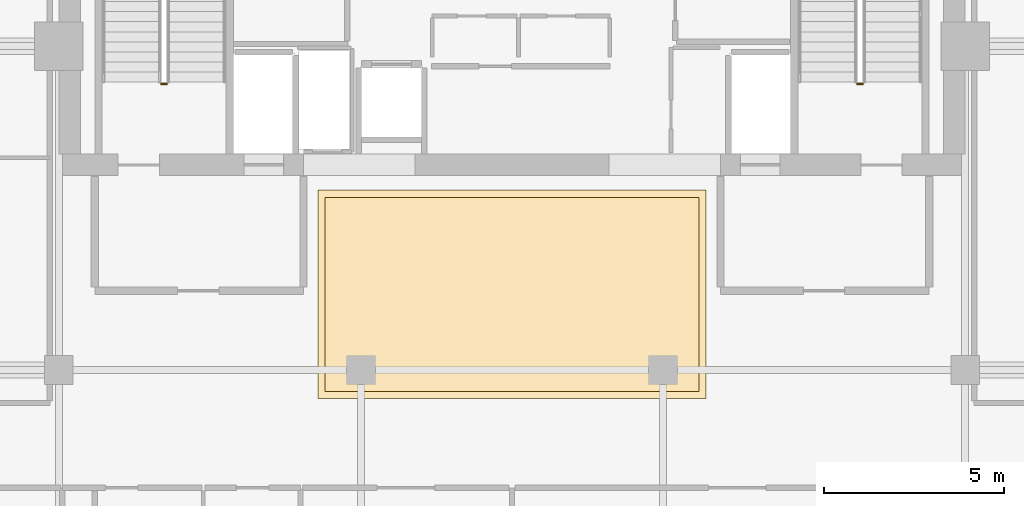
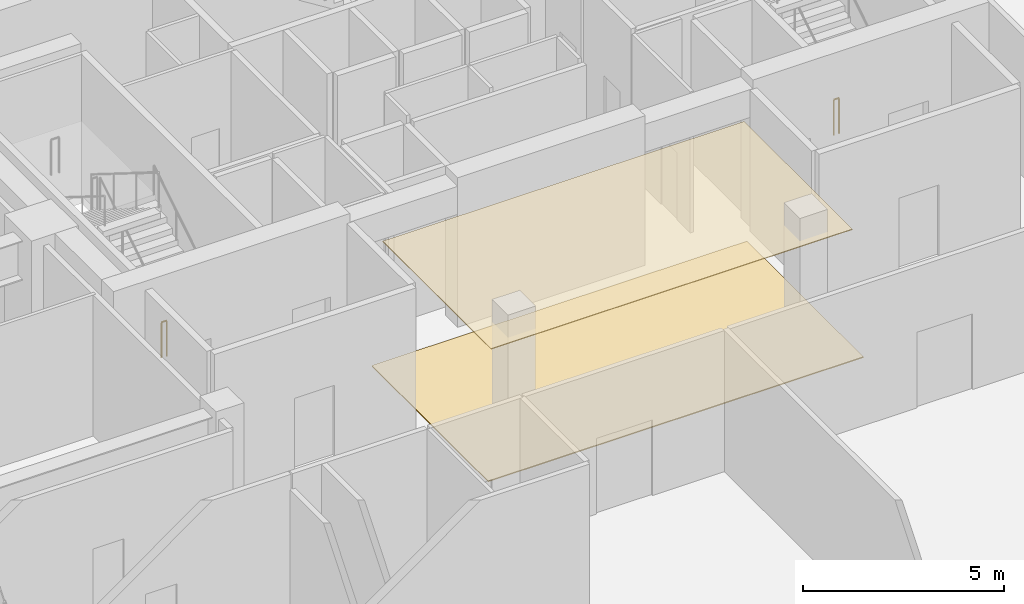
# One storey, part 21 of 23: 2 coverings, 2 railings.
"""IFC4 building model written with IfcOpenShell, lengths in metres."""

from ifc_helpers import new_model, si_unit, direction, frame, origin, origin_2d, place, context, subcontext, project, spatial, polyline, circle, outline, extrude, material, layer, layer_set, type_object, element, save


model = new_model("IFC4")

# Units and contexts
model_context = context("Model", 3, precision=1e-05, world=origin(), true_north=direction((0.0, 1.0)))
body_context = subcontext(model_context, "Body", "Model", "MODEL_VIEW")
ifc_project = project(units=[si_unit("LENGTHUNIT", "METRE"), si_unit("AREAUNIT", "SQUARE_METRE"), si_unit("VOLUMEUNIT", "CUBIC_METRE"), si_unit("PLANEANGLEUNIT", "RADIAN"), si_unit("MASSUNIT", "GRAM", prefix="KILO")], contexts=[model_context])

# Site, building, storey
site_placement = place(None, origin())
site = spatial("IfcSite", under=ifc_project, at=site_placement, CompositionType="ELEMENT")
building_placement = place(site_placement, origin())
building = spatial("IfcBuilding", under=site, at=building_placement, Name="Maruvema Waterfront Hotel and Observation Tower", CompositionType="ELEMENT")
storey_placement = place(building_placement, frame((0.0, 0.0, 349.64990234375)))
storey = spatial("IfcBuildingStorey", under=building, at=storey_placement, Name="L86", CompositionType="ELEMENT", Elevation=349.64990234375)

# Coverings
ifc_material_1 = material(Name="Honed Pernambuco warm granite", Category="masonry")
ifc_layer_1 = layer(ifc_material_1, 0.030029296875, Name="Honed Pernambuco Granite Lobby Flooring 30 mm")
ifc_layer_set_1 = layer_set([ifc_layer_1], Name="Honed Pernambuco warm granite")
covering_type_1 = type_object("IfcCoveringType", Name="Honed Pernambuco Granite Lobby Flooring 30 mm", PredefinedType="FLOORING", material=ifc_layer_set_1)
covering_1_placement = place(storey_placement, origin())
element("IfcCovering", 1, at=covering_1_placement, inside=storey, type_object=covering_type_1, Name="L86 Sky Concourse Granite Flooring", PredefinedType="FLOORING", context=body_context, shape_type="SweptSolid", body=[
    extrude(outline(polyline([(32.39990234375, 35.199951171875), (43.199951171875, 35.199951171875), (43.199951171875, 41.0), (32.39990234375, 41.0), (32.39990234375, 35.199951171875)])), origin(), (0.0, 0.0, 1.0), 0.030029296875),
])
ifc_material_2 = material(Name="Perforated acoustic gypsum board", Category="gypsum")
ifc_layer_2 = layer(ifc_material_2, 0.02490234375, Name="Perforated Acoustic Gypsum Suspended Ceiling 25 mm")
ifc_layer_set_2 = layer_set([ifc_layer_2], Name="Perforated acoustic gypsum board")
covering_type_2 = type_object("IfcCoveringType", Name="Perforated Acoustic Gypsum Suspended Ceiling 25 mm", PredefinedType="CEILING", material=ifc_layer_set_2)
covering_2_placement = place(storey_placement, frame((0.0, 0.0, 3.840087890625)))
element("IfcCovering", 2, at=covering_2_placement, inside=storey, type_object=covering_type_2, Name="L86 Sky Concourse Acoustic Ceiling", PredefinedType="CEILING", context=body_context, shape_type="SweptSolid", body=[
    extrude(outline(polyline([(32.60009765625, 35.39990234375), (43.0, 35.39990234375), (43.0, 40.800048828125), (32.60009765625, 40.800048828125), (32.60009765625, 35.39990234375)])), origin(), (0.0, 0.0, 1.0), 0.02490234375),
])

# Railings
ifc_material_3 = material(Name="Brushed stainless steel Grade 316", Category="steel")
railing_type = type_object("IfcRailingType", Name="Ramp and Terrace Guard Balustrade 1100 mm", PredefinedType="BALUSTRADE", material=ifc_material_3)
railing_1_placement = place(storey_placement, frame((28.199951171875, 43.949951171875, 0.0)))
element("IfcRailing", 3, at=railing_1_placement, inside=storey, type_object=railing_type, Name="L86 ST-01 stair guard 4", PredefinedType="BALUSTRADE", context=body_context, shape_type="SweptSolid", body=[
    extrude(circle(Radius=0.02392578125, at=origin_2d()), frame((0.0, 0.0, 1.076171875), z_axis=(-1.0, 0.0, 0.0), x_axis=(0.0, -1.0, 0.0)), (0.0, 0.0, 1.0), 0.14990234375),
    extrude(circle(Radius=0.02099609375, at=origin_2d()), origin(), (0.0, 0.0, 1.0), 1.052001953125),
    extrude(circle(Radius=0.02099609375, at=origin_2d()), frame((-0.14990234375, 0.0, 0.0)), (0.0, 0.0, 1.0), 1.052001953125),
])
railing_2_placement = place(storey_placement, frame((47.550048828125, 43.949951171875, 0.0)))
element("IfcRailing", 4, at=railing_2_placement, inside=storey, type_object=railing_type, Name="L86 ST-03 stair guard 4", PredefinedType="BALUSTRADE", context=body_context, shape_type="SweptSolid", body=[
    extrude(circle(Radius=0.02392578125, at=origin_2d()), frame((0.0, 0.0, 1.076171875), z_axis=(-1.0, 0.0, 0.0), x_axis=(0.0, -1.0, 0.0)), (0.0, 0.0, 1.0), 0.150146484375),
    extrude(circle(Radius=0.02099609375, at=origin_2d()), origin(), (0.0, 0.0, 1.0), 1.052001953125),
    extrude(circle(Radius=0.02099609375, at=origin_2d()), frame((-0.150146484375, 0.0, 0.0)), (0.0, 0.0, 1.0), 1.052001953125),
])

save(model, "model.ifc")
